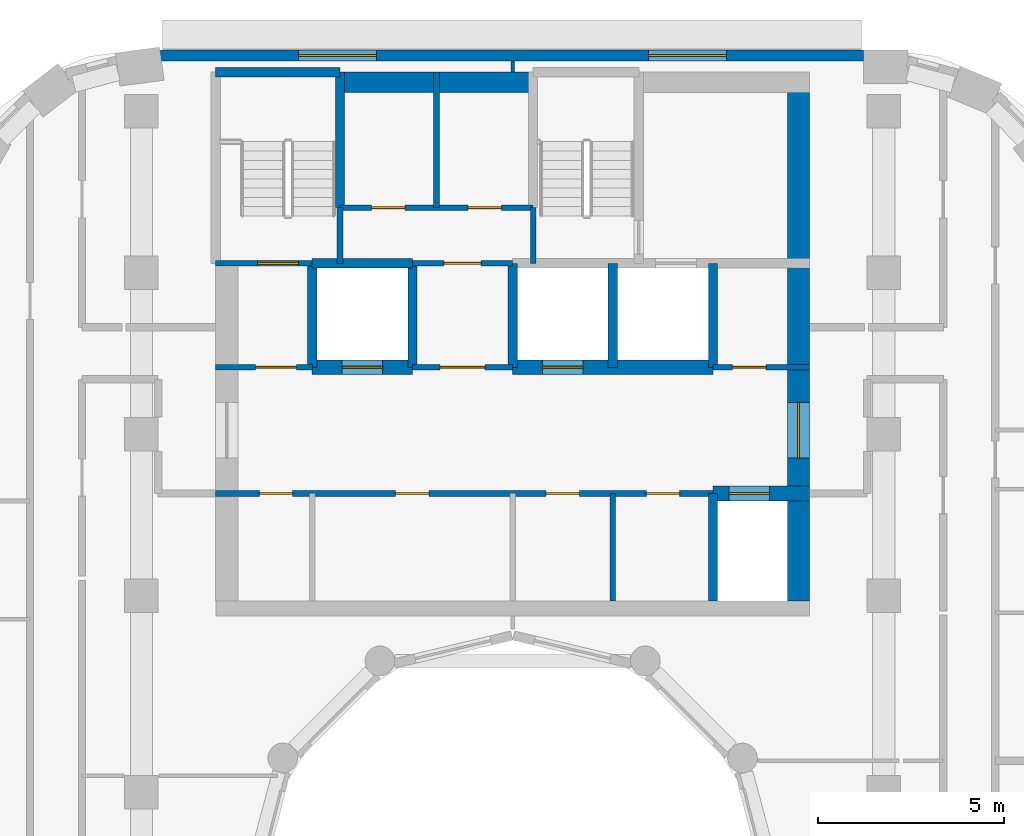
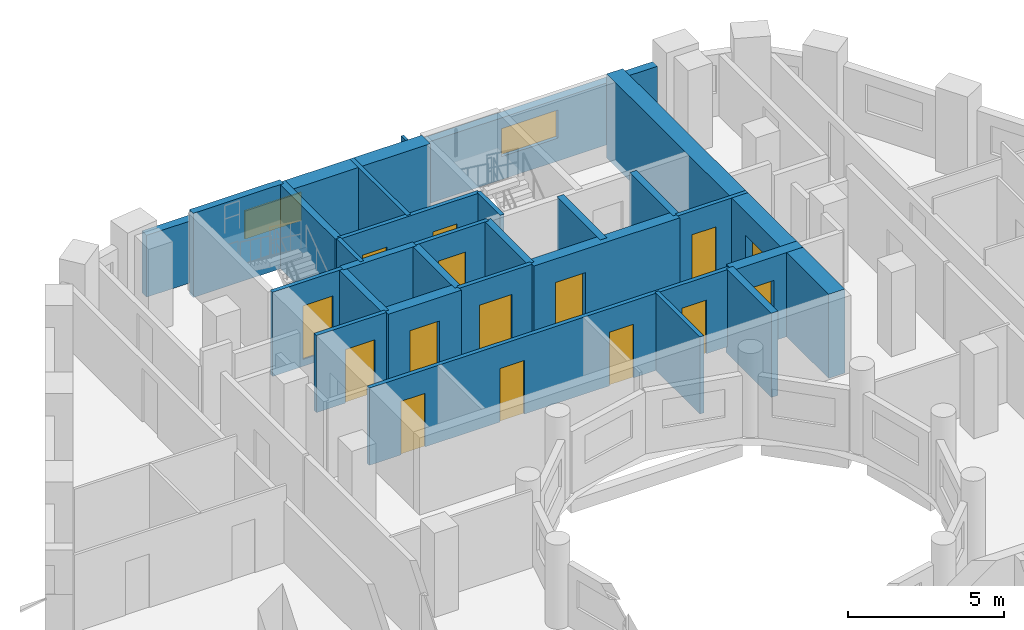
# One storey, part 8 of 16: 27 walls, 15 doors, 2 windows, 17 openings.
"""IFC4 building model written with IfcOpenShell, lengths in metres."""

from ifc_helpers import new_model, si_unit, direction, frame, frame_2d, origin, place, context, subcontext, project, spatial, rectangle, extrude, material, layer, layer_set, type_object, element, fill, save


model = new_model("IFC4")

# Units and contexts
model_context = context("Model", 3, precision=1e-05, world=origin(), true_north=direction((0.0, 1.0)))
body_context = subcontext(model_context, "Body", "Model", "MODEL_VIEW")
ifc_project = project(units=[si_unit("LENGTHUNIT", "METRE"), si_unit("AREAUNIT", "SQUARE_METRE"), si_unit("VOLUMEUNIT", "CUBIC_METRE"), si_unit("PLANEANGLEUNIT", "RADIAN"), si_unit("MASSUNIT", "GRAM", prefix="KILO")], contexts=[model_context])

# Site, building, storey
site_placement = place(None, origin())
site = spatial("IfcSite", under=ifc_project, at=site_placement, CompositionType="ELEMENT")
building_placement = place(site_placement, origin())
building = spatial("IfcBuilding", under=site, at=building_placement, Name="Nakaniwa Court", CompositionType="ELEMENT")
storey_placement = place(building_placement, frame((0.0, 0.0, 193.199951171875)))
storey = spatial("IfcBuildingStorey", under=building, at=storey_placement, Name="L50", CompositionType="ELEMENT", Elevation=193.199951171875)

# Wall, openings, windows
ifc_material_1 = material(Name="Charcoal ceramic cladding")
ifc_layer_1 = layer(ifc_material_1, 0.02, Name="Ceramic cladding")
ifc_material_2 = material(Name="Ventilated air cavity")
ifc_layer_2 = layer(ifc_material_2, 0.04, ventilated=True, Name="Ventilated cavity")
ifc_material_3 = material(Name="Mineral wool insulation")
ifc_layer_3 = layer(ifc_material_3, 0.1, Name="Insulation")
ifc_material_4 = material(Name="Cement bonded sheathing board")
ifc_layer_4 = layer(ifc_material_4, 0.012, Name="Sheathing")
ifc_material_5 = material(Name="Cold-formed galvanised stud frame with mineral wool infill")
ifc_layer_5 = layer(ifc_material_5, 0.1, Name="Stud frame")
ifc_material_6 = material(Name="Fire-rated gypsum plasterboard lining")
ifc_layer_6 = layer(ifc_material_6, 0.028, Name="Lining")
ifc_layer_set_1 = layer_set([ifc_layer_1, ifc_layer_2, ifc_layer_3, ifc_layer_4, ifc_layer_5, ifc_layer_6], Name="Charcoal ceramic faced external wall system")
wall_type_1 = type_object("IfcWallType", Name="Black ceramic faced external wall 300", PredefinedType="SOLIDWALL", material=ifc_layer_set_1)
wall_1_placement = place(storey_placement, frame((89.44921875, 102.5, 0.0), z_axis=(0.0, 0.0, 1.0), x_axis=(-1.0, 0.0, 0.0)))
wall_1 = element("IfcWall", 1, at=wall_1_placement, inside=storey, type_object=wall_type_1, Name="L50 external wall 08", PredefinedType="SOLIDWALL", context=body_context, shape_type="SweptSolid", body=[
    extrude(rectangle(XDim=18.932861328125, YDim=0.300048828125, at=frame_2d((9.46630859375, 0.0))), origin(), (0.0, 0.0, 1.0), 2.425048828125),
])
opening_1_placement = place(wall_1_placement, frame((3.6865234375, 0.0, 0.89990234375)))
opening_1 = element("IfcOpeningElement", 2, at=opening_1_placement, cuts=wall_1, Name="Opening W7.10", PredefinedType="OPENING", context=body_context, shape_type="SweptSolid", body=[
    extrude(rectangle(XDim=2.10009765625, YDim=1.10009765625, at=frame_2d((1.050048828125, 0.550048828125))), frame((0.0, 0.159912109375, 0.0), z_axis=(0.0, -1.0, 0.0), x_axis=(1.0, 0.0, 0.0)), (0.0, 0.0, 1.0), 0.320068359375),
])
opening_2_placement = place(wall_1_placement, frame((13.117919921875, 0.0, 0.89990234375)))
opening_2 = element("IfcOpeningElement", 3, at=opening_2_placement, cuts=wall_1, Name="Opening W7.11", PredefinedType="OPENING", context=body_context, shape_type="SweptSolid", body=[
    extrude(rectangle(XDim=2.10009765625, YDim=1.10009765625, at=frame_2d((1.050048828125, 0.550048828125))), frame((0.0, 0.159912109375, 0.0), z_axis=(0.0, -1.0, 0.0), x_axis=(1.0, 0.0, 0.0)), (0.0, 0.0, 1.0), 0.320068359375),
])
ifc_material_7 = material(Name="Black anodised aluminium frame with dark low-E laminated double glazing", Category="aluminium")
window_type = type_object("IfcWindowType", Name="Dark glass window 2100x1100 sill 900", PartitioningType="SINGLE_PANEL", PredefinedType="WINDOW", material=ifc_material_7)
window_1_placement = place(opening_1_placement, origin())
window_1 = element("IfcWindow", 4, at=window_1_placement, inside=storey, type_object=window_type, Name="L50 habitable room window 08-0", OverallHeight=1.10009765625, OverallWidth=2.10009765625, PartitioningType="SINGLE_PANEL", PredefinedType="WINDOW", context=body_context, shape_type="SweptSolid", body=[
    extrude(rectangle(XDim=2.10009765625, YDim=1.10009765625, at=frame_2d((1.050048828125, 0.550048828125))), frame((0.0, 0.030029296875, 0.0), z_axis=(0.0, -1.0, 0.0), x_axis=(1.0, 0.0, 0.0)), (0.0, 0.0, 1.0), 0.06005859375),
])
fill(opening_1, window_1)
window_2_placement = place(opening_2_placement, origin())
window_2 = element("IfcWindow", 5, at=window_2_placement, inside=storey, type_object=window_type, Name="L50 habitable room window 08-1", OverallHeight=1.10009765625, OverallWidth=2.10009765625, PartitioningType="SINGLE_PANEL", PredefinedType="WINDOW", context=body_context, shape_type="SweptSolid", body=[
    extrude(rectangle(XDim=2.10009765625, YDim=1.10009765625, at=frame_2d((1.050048828125, 0.550048828125))), frame((0.0, 0.030029296875, 0.0), z_axis=(0.0, -1.0, 0.0), x_axis=(1.0, 0.0, 0.0)), (0.0, 0.0, 1.0), 0.06005859375),
])
fill(opening_2, window_2)

# Wall, openings, doors
ifc_material_8 = material(Name="Blockwork partition", Category="masonry")
ifc_layer_7 = layer(ifc_material_8, 0.14990234375)
ifc_layer_set_2 = layer_set([ifc_layer_7], Name="Blockwork partition")
wall_type_2 = type_object("IfcWallType", Name="Blockwork partition 150", PredefinedType="PARTITIONING", material=ifc_layer_set_2)
wall_2_placement = place(storey_placement, frame((85.39990234375, 90.699951171875, 0.0), z_axis=(0.0, 0.0, 1.0), x_axis=(-1.0, 0.0, 0.0)))
wall_2 = element("IfcWall", 6, at=wall_2_placement, inside=storey, type_object=wall_type_2, Name="Partition PW-002", PredefinedType="PARTITIONING", context=body_context, shape_type="SweptSolid", body=[
    extrude(rectangle(XDim=13.39990234375, YDim=0.14990234375, at=frame_2d((6.699951171875, 0.0))), origin(), (0.0, 0.0, 1.0), 3.025146484375),
])
opening_3_placement = place(wall_2_placement, frame((11.324951171875, 0.0, 0.0)))
opening_3 = element("IfcOpeningElement", 7, at=opening_3_placement, cuts=wall_2, Name="Opening D-05-01", PredefinedType="OPENING", context=body_context, shape_type="SweptSolid", body=[
    extrude(rectangle(XDim=0.89990234375, YDim=2.10009765625, at=frame_2d((0.449951171875, 1.050048828125))), frame((0.0, 0.0849609375, 0.0), z_axis=(0.0, -1.0, 0.0), x_axis=(1.0, 0.0, 0.0)), (0.0, 0.0, 1.0), 0.169921875),
])
opening_4_placement = place(wall_2_placement, frame((7.64990234375, 0.0, 0.0)))
opening_4 = element("IfcOpeningElement", 8, at=opening_4_placement, cuts=wall_2, Name="Opening D-05-02", PredefinedType="OPENING", context=body_context, shape_type="SweptSolid", body=[
    extrude(rectangle(XDim=0.89990234375, YDim=2.10009765625, at=frame_2d((0.449951171875, 1.050048828125))), frame((0.0, 0.0849609375, 0.0), z_axis=(0.0, -1.0, 0.0), x_axis=(1.0, 0.0, 0.0)), (0.0, 0.0, 1.0), 0.169921875),
])
opening_5_placement = place(wall_2_placement, frame((3.60009765625, 0.0, 0.0)))
opening_5 = element("IfcOpeningElement", 9, at=opening_5_placement, cuts=wall_2, Name="Opening D-05-03", PredefinedType="OPENING", context=body_context, shape_type="SweptSolid", body=[
    extrude(rectangle(XDim=0.89990234375, YDim=2.10009765625, at=frame_2d((0.449951171875, 1.050048828125))), frame((0.0, 0.0849609375, 0.0), z_axis=(0.0, -1.0, 0.0), x_axis=(1.0, 0.0, 0.0)), (0.0, 0.0, 1.0), 0.169921875),
])
opening_6_placement = place(wall_2_placement, frame((0.89990234375, 0.0, 0.0)))
opening_6 = element("IfcOpeningElement", 10, at=opening_6_placement, cuts=wall_2, Name="Opening D-05-04", PredefinedType="OPENING", context=body_context, shape_type="SweptSolid", body=[
    extrude(rectangle(XDim=0.89990234375, YDim=2.10009765625, at=frame_2d((0.449951171875, 1.050048828125))), frame((0.0, 0.0849609375, 0.0), z_axis=(0.0, -1.0, 0.0), x_axis=(1.0, 0.0, 0.0)), (0.0, 0.0, 1.0), 0.169921875),
])
ifc_material_9 = material(Name="Fire rated steel door set", Category="steel")
door_type_1 = type_object("IfcDoorType", Name="Service room door 900", OperationType="NOTDEFINED", PredefinedType="DOOR", material=ifc_material_9)
door_1_placement = place(opening_3_placement, origin())
door_1 = element("IfcDoor", 11, at=door_1_placement, inside=storey, type_object=door_type_1, Name="Door D-05-01 L50-001", OperationType="SINGLE_SWING_RIGHT", OverallHeight=2.10009765625, OverallWidth=0.89990234375, PredefinedType="DOOR", context=body_context, shape_type="SweptSolid", body=[
    extrude(rectangle(XDim=0.89990234375, YDim=2.10009765625, at=frame_2d((0.449951171875, 1.050048828125))), frame((0.0, 0.02490234375, 0.0), z_axis=(0.0, -1.0, 0.0), x_axis=(1.0, 0.0, 0.0)), (0.0, 0.0, 1.0), 0.050048828125),
])
fill(opening_3, door_1)
door_2_placement = place(opening_4_placement, origin())
door_2 = element("IfcDoor", 12, at=door_2_placement, inside=storey, type_object=door_type_1, Name="Door D-05-02 L50-002", OperationType="SINGLE_SWING_LEFT", OverallHeight=2.10009765625, OverallWidth=0.89990234375, PredefinedType="DOOR", context=body_context, shape_type="SweptSolid", body=[
    extrude(rectangle(XDim=0.89990234375, YDim=2.10009765625, at=frame_2d((0.449951171875, 1.050048828125))), frame((0.0, 0.02490234375, 0.0), z_axis=(0.0, -1.0, 0.0), x_axis=(1.0, 0.0, 0.0)), (0.0, 0.0, 1.0), 0.050048828125),
])
fill(opening_4, door_2)
door_3_placement = place(opening_5_placement, origin())
door_3 = element("IfcDoor", 13, at=door_3_placement, inside=storey, type_object=door_type_1, Name="Door D-05-03 L50-003", OperationType="SINGLE_SWING_RIGHT", OverallHeight=2.10009765625, OverallWidth=0.89990234375, PredefinedType="DOOR", context=body_context, shape_type="SweptSolid", body=[
    extrude(rectangle(XDim=0.89990234375, YDim=2.10009765625, at=frame_2d((0.449951171875, 1.050048828125))), frame((0.0, 0.02490234375, 0.0), z_axis=(0.0, -1.0, 0.0), x_axis=(1.0, 0.0, 0.0)), (0.0, 0.0, 1.0), 0.050048828125),
])
fill(opening_5, door_3)
door_4_placement = place(opening_6_placement, origin())
door_4 = element("IfcDoor", 14, at=door_4_placement, inside=storey, type_object=door_type_1, Name="Door D-05-04 L50-004", OperationType="SINGLE_SWING_LEFT", OverallHeight=2.10009765625, OverallWidth=0.89990234375, PredefinedType="DOOR", context=body_context, shape_type="SweptSolid", body=[
    extrude(rectangle(XDim=0.89990234375, YDim=2.10009765625, at=frame_2d((0.449951171875, 1.050048828125))), frame((0.0, 0.02490234375, 0.0), z_axis=(0.0, -1.0, 0.0), x_axis=(1.0, 0.0, 0.0)), (0.0, 0.0, 1.0), 0.050048828125),
])
fill(opening_6, door_4)

# Wall
wall_3_placement = place(storey_placement, frame((82.699951171875, 87.800048828125, 0.0), z_axis=(0.0, 0.0, 1.0), x_axis=(0.0, 1.0, 0.0)))
element("IfcWall", 15, at=wall_3_placement, inside=storey, type_object=wall_type_2, Name="Partition PW-009", PredefinedType="PARTITIONING", context=body_context, shape_type="SweptSolid", body=[
    extrude(rectangle(XDim=2.89990234375, YDim=0.14990234375, at=frame_2d((1.449951171875, 0.0))), origin(), (0.0, 0.0, 1.0), 3.025146484375),
])

# Wall, opening, door
wall_4_placement = place(storey_placement, frame((72.0, 94.10009765625, 0.0), z_axis=(0.0, 0.0, 1.0), x_axis=(1.0, 0.0, 0.0)))
wall_4 = element("IfcWall", 16, at=wall_4_placement, inside=storey, type_object=wall_type_2, Name="Partition PW-010", PredefinedType="PARTITIONING", context=body_context, shape_type="SweptSolid", body=[
    extrude(rectangle(XDim=2.60302734375, YDim=0.14990234375, at=frame_2d((1.301513671875, 0.0))), origin(), (0.0, 0.0, 1.0), 3.025146484375),
])
opening_7_placement = place(wall_4_placement, frame((1.074951171875, 0.0, 0.0)))
opening_7 = element("IfcOpeningElement", 17, at=opening_7_placement, cuts=wall_4, Name="Opening D-08-01", PredefinedType="OPENING", context=body_context, shape_type="SweptSolid", body=[
    extrude(rectangle(XDim=1.10009765625, YDim=2.10009765625, at=frame_2d((0.550048828125, 1.050048828125))), frame((0.0, 0.0849609375, 0.0), z_axis=(0.0, -1.0, 0.0), x_axis=(1.0, 0.0, 0.0)), (0.0, 0.0, 1.0), 0.169921875),
])
door_type_2 = type_object("IfcDoorType", Name="Stair lobby door 1100", OperationType="NOTDEFINED", PredefinedType="DOOR", material=ifc_material_9)
door_5_placement = place(opening_7_placement, origin())
door_5 = element("IfcDoor", 18, at=door_5_placement, inside=storey, type_object=door_type_2, Name="Door D-08-01 L50-005", OperationType="SINGLE_SWING_RIGHT", OverallHeight=2.10009765625, OverallWidth=1.10009765625, PredefinedType="DOOR", context=body_context, shape_type="SweptSolid", body=[
    extrude(rectangle(XDim=1.10009765625, YDim=2.10009765625, at=frame_2d((0.550048828125, 1.050048828125))), frame((0.0, 0.02490234375, 0.0), z_axis=(0.0, -1.0, 0.0), x_axis=(1.0, 0.0, 0.0)), (0.0, 0.0, 1.0), 0.050048828125),
])
fill(opening_7, door_5)

wall_5_placement = place(storey_placement, frame((77.297119140625, 94.10009765625, 0.0), z_axis=(0.0, 0.0, 1.0), x_axis=(1.0, 0.0, 0.0)))
wall_5 = element("IfcWall", 19, at=wall_5_placement, inside=storey, type_object=wall_type_2, Name="Partition PW-011", PredefinedType="PARTITIONING", context=body_context, shape_type="SweptSolid", body=[
    extrude(rectangle(XDim=2.705810546875, YDim=0.14990234375, at=frame_2d((1.35302734375, 0.0))), origin(), (0.0, 0.0, 1.0), 3.025146484375),
])
opening_8_placement = place(wall_5_placement, frame((0.7529296875, 0.0, 0.0)))
opening_8 = element("IfcOpeningElement", 20, at=opening_8_placement, cuts=wall_5, Name="Opening D-06-01", PredefinedType="OPENING", context=body_context, shape_type="SweptSolid", body=[
    extrude(rectangle(XDim=1.199951171875, YDim=2.10009765625, at=frame_2d((0.60009765625, 1.050048828125))), frame((0.0, 0.0849609375, 0.0), z_axis=(0.0, -1.0, 0.0), x_axis=(1.0, 0.0, 0.0)), (0.0, 0.0, 1.0), 0.169921875),
])
ifc_material_10 = material(Name="Fire rated steel double door set", Category="steel")
door_type_3 = type_object("IfcDoorType", Name="Service passage double door 1200", OperationType="NOTDEFINED", PredefinedType="DOOR", material=ifc_material_10)
door_6_placement = place(opening_8_placement, origin())
door_6 = element("IfcDoor", 21, at=door_6_placement, inside=storey, type_object=door_type_3, Name="Door D-06-01 L50-006", OperationType="DOUBLE_DOOR_SINGLE_SWING", OverallHeight=2.10009765625, OverallWidth=1.199951171875, PredefinedType="DOOR", context=body_context, shape_type="SweptSolid", body=[
    extrude(rectangle(XDim=1.199951171875, YDim=2.10009765625, at=frame_2d((0.60009765625, 1.050048828125))), frame((0.0, 0.02490234375, 0.0), z_axis=(0.0, -1.0, 0.0), x_axis=(1.0, 0.0, 0.0)), (0.0, 0.0, 1.0), 0.050048828125),
])
fill(opening_8, door_6)

wall_6_placement = place(storey_placement, frame((85.39697265625, 94.10009765625, 0.0), z_axis=(0.0, 0.0, 1.0), x_axis=(1.0, 0.0, 0.0)))
wall_6 = element("IfcWall", 22, at=wall_6_placement, inside=storey, type_object=wall_type_2, Name="Partition PW-012", PredefinedType="PARTITIONING", context=body_context, shape_type="SweptSolid", body=[
    extrude(rectangle(XDim=2.60302734375, YDim=0.14990234375, at=frame_2d((1.301513671875, 0.0))), origin(), (0.0, 0.0, 1.0), 3.025146484375),
])
opening_9_placement = place(wall_6_placement, frame((0.528076171875, 0.0, 0.0)))
opening_9 = element("IfcOpeningElement", 23, at=opening_9_placement, cuts=wall_6, Name="Opening D-05-05", PredefinedType="OPENING", context=body_context, shape_type="SweptSolid", body=[
    extrude(rectangle(XDim=0.89990234375, YDim=2.10009765625, at=frame_2d((0.449951171875, 1.050048828125))), frame((0.0, 0.0849609375, 0.0), z_axis=(0.0, -1.0, 0.0), x_axis=(1.0, 0.0, 0.0)), (0.0, 0.0, 1.0), 0.169921875),
])
door_7_placement = place(opening_9_placement, origin())
door_7 = element("IfcDoor", 24, at=door_7_placement, inside=storey, type_object=door_type_1, Name="Door D-05-05 L50-007", OperationType="SINGLE_SWING_RIGHT", OverallHeight=2.10009765625, OverallWidth=0.89990234375, PredefinedType="DOOR", context=body_context, shape_type="SweptSolid", body=[
    extrude(rectangle(XDim=0.89990234375, YDim=2.10009765625, at=frame_2d((0.449951171875, 1.050048828125))), frame((0.0, 0.02490234375, 0.0), z_axis=(0.0, -1.0, 0.0), x_axis=(1.0, 0.0, 0.0)), (0.0, 0.0, 1.0), 0.050048828125),
])
fill(opening_9, door_7)

wall_7_placement = place(storey_placement, frame((77.300048828125, 96.89990234375, 0.0), z_axis=(0.0, 0.0, 1.0), x_axis=(1.0, 0.0, 0.0)))
wall_7 = element("IfcWall", 25, at=wall_7_placement, inside=storey, type_object=wall_type_2, Name="Partition PW-021", PredefinedType="PARTITIONING", context=body_context, shape_type="SweptSolid", body=[
    extrude(rectangle(XDim=2.699951171875, YDim=0.14990234375, at=frame_2d((1.35009765625, 0.0))), origin(), (0.0, 0.0, 1.0), 3.025146484375),
])
opening_10_placement = place(wall_7_placement, frame((0.85009765625, 0.0, 0.0)))
opening_10 = element("IfcOpeningElement", 26, at=opening_10_placement, cuts=wall_7, Name="Opening D-23-01", PredefinedType="OPENING", context=body_context, shape_type="SweptSolid", body=[
    extrude(rectangle(XDim=1.0, YDim=2.10009765625, at=frame_2d((0.5, 1.050048828125))), frame((0.0, 0.0849609375, 0.0), z_axis=(0.0, -1.0, 0.0), x_axis=(1.0, 0.0, 0.0)), (0.0, 0.0, 1.0), 0.169921875),
])
door_type_4 = type_object("IfcDoorType", Name="Service room door 1000", OperationType="NOTDEFINED", PredefinedType="DOOR", material=ifc_material_9)
door_8_placement = place(opening_10_placement, origin())
door_8 = element("IfcDoor", 27, at=door_8_placement, inside=storey, type_object=door_type_4, Name="Door D-23-01 L50-008", OperationType="SINGLE_SWING_LEFT", OverallHeight=2.10009765625, OverallWidth=1.0, PredefinedType="DOOR", context=body_context, shape_type="SweptSolid", body=[
    extrude(rectangle(XDim=1.0, YDim=2.10009765625, at=frame_2d((0.5, 1.050048828125))), frame((0.0, 0.02490234375, 0.0), z_axis=(0.0, -1.0, 0.0), x_axis=(1.0, 0.0, 0.0)), (0.0, 0.0, 1.0), 0.050048828125),
])
fill(opening_10, door_8)

# Wall, openings, doors
wall_8_placement = place(storey_placement, frame((75.35009765625, 98.39990234375, 0.0), z_axis=(0.0, 0.0, 1.0), x_axis=(1.0, 0.0, 0.0)))
wall_8 = element("IfcWall", 28, at=wall_8_placement, inside=storey, type_object=wall_type_2, Name="Partition PW-033", PredefinedType="PARTITIONING", context=body_context, shape_type="SweptSolid", body=[
    extrude(rectangle(XDim=5.199951171875, YDim=0.14990234375, at=frame_2d((2.60009765625, 0.0))), origin(), (0.0, 0.0, 1.0), 3.025146484375),
])
opening_11_placement = place(wall_8_placement, frame((0.85009765625, 0.0, 0.0)))
opening_11 = element("IfcOpeningElement", 29, at=opening_11_placement, cuts=wall_8, Name="Opening D-05-06", PredefinedType="OPENING", context=body_context, shape_type="SweptSolid", body=[
    extrude(rectangle(XDim=0.89990234375, YDim=2.10009765625, at=frame_2d((0.449951171875, 1.050048828125))), frame((0.0, 0.0849609375, 0.0), z_axis=(0.0, -1.0, 0.0), x_axis=(1.0, 0.0, 0.0)), (0.0, 0.0, 1.0), 0.169921875),
])
opening_12_placement = place(wall_8_placement, frame((3.449951171875, 0.0, 0.0)))
opening_12 = element("IfcOpeningElement", 30, at=opening_12_placement, cuts=wall_8, Name="Opening D-05-07", PredefinedType="OPENING", context=body_context, shape_type="SweptSolid", body=[
    extrude(rectangle(XDim=0.89990234375, YDim=2.10009765625, at=frame_2d((0.449951171875, 1.050048828125))), frame((0.0, 0.0849609375, 0.0), z_axis=(0.0, -1.0, 0.0), x_axis=(1.0, 0.0, 0.0)), (0.0, 0.0, 1.0), 0.169921875),
])
door_9_placement = place(opening_11_placement, origin())
door_9 = element("IfcDoor", 31, at=door_9_placement, inside=storey, type_object=door_type_1, Name="Door D-05-06 L50-009", OperationType="SINGLE_SWING_RIGHT", OverallHeight=2.10009765625, OverallWidth=0.89990234375, PredefinedType="DOOR", context=body_context, shape_type="SweptSolid", body=[
    extrude(rectangle(XDim=0.89990234375, YDim=2.10009765625, at=frame_2d((0.449951171875, 1.050048828125))), frame((0.0, 0.02490234375, 0.0), z_axis=(0.0, -1.0, 0.0), x_axis=(1.0, 0.0, 0.0)), (0.0, 0.0, 1.0), 0.050048828125),
])
fill(opening_11, door_9)
door_10_placement = place(opening_12_placement, origin())
door_10 = element("IfcDoor", 32, at=door_10_placement, inside=storey, type_object=door_type_1, Name="Door D-05-07 L50-010", OperationType="SINGLE_SWING_LEFT", OverallHeight=2.10009765625, OverallWidth=0.89990234375, PredefinedType="DOOR", context=body_context, shape_type="SweptSolid", body=[
    extrude(rectangle(XDim=0.89990234375, YDim=2.10009765625, at=frame_2d((0.449951171875, 1.050048828125))), frame((0.0, 0.02490234375, 0.0), z_axis=(0.0, -1.0, 0.0), x_axis=(1.0, 0.0, 0.0)), (0.0, 0.0, 1.0), 0.050048828125),
])
fill(opening_12, door_10)

# Wall
wall_9_placement = place(storey_placement, frame((77.949951171875, 98.39990234375, 0.0), z_axis=(0.0, 0.0, 1.0), x_axis=(0.0, 1.0, 0.0)))
element("IfcWall", 33, at=wall_9_placement, inside=storey, type_object=wall_type_2, Name="Partition PW-034", PredefinedType="PARTITIONING", context=body_context, shape_type="SweptSolid", body=[
    extrude(rectangle(XDim=3.650146484375, YDim=0.14990234375, at=frame_2d((1.8251953125, 0.0))), origin(), (0.0, 0.0, 1.0), 3.025146484375),
])

# Wall, opening, door
ifc_material_11 = material(Name="Concrete C80/100", Category="concrete")
ifc_layer_8 = layer(ifc_material_11, 0.60009765625)
ifc_layer_set_3 = layer_set([ifc_layer_8], Name="Concrete C80/100")
wall_type_3 = type_object("IfcWallType", Name="Concrete core side wall 600 C80", PredefinedType="SHEAR", material=ifc_layer_set_3)
wall_10_placement = place(storey_placement, frame((87.699951171875, 102.050048828125, -0.27490234375), z_axis=(0.0, 0.0, 1.0), x_axis=(0.0, -1.0, 0.0)))
wall_10 = element("IfcWall", 34, at=wall_10_placement, inside=storey, type_object=wall_type_3, Name="Core wall SW-07", PredefinedType="SHEAR", context=body_context, shape_type="SweptSolid", body=[
    extrude(rectangle(XDim=14.25, YDim=0.60009765625, at=frame_2d((7.125, 0.0))), origin(), (0.0, 0.0, 1.0), 3.300048828125),
])
opening_13_placement = place(wall_10_placement, frame((8.89794921875, 0.0, 0.27490234375)))
opening_13 = element("IfcOpeningElement", 35, at=opening_13_placement, cuts=wall_10, Name="Opening D-07-01", PredefinedType="OPENING", context=body_context, shape_type="SweptSolid", body=[
    extrude(rectangle(XDim=1.5, YDim=2.10009765625, at=frame_2d((0.75, 1.050048828125))), frame((0.0, 0.31005859375, 0.0), z_axis=(0.0, -1.0, 0.0), x_axis=(1.0, 0.0, 0.0)), (0.0, 0.0, 1.0), 0.6201171875),
])
ifc_material_12 = material(Name="Glazed fire rated steel double door set", Category="steel")
door_type_5 = type_object("IfcDoorType", Name="Lobby double door 1500", OperationType="NOTDEFINED", PredefinedType="DOOR", material=ifc_material_12)
door_11_placement = place(opening_13_placement, origin())
door_11 = element("IfcDoor", 36, at=door_11_placement, inside=storey, type_object=door_type_5, Name="Door D-07-01 L50-059", OperationType="DOUBLE_DOOR_SINGLE_SWING", OverallHeight=2.10009765625, OverallWidth=1.5, PredefinedType="DOOR", context=body_context, shape_type="SweptSolid", body=[
    extrude(rectangle(XDim=1.5, YDim=2.10009765625, at=frame_2d((0.75, 1.050048828125))), frame((0.0, 0.02490234375, 0.0), z_axis=(0.0, -1.0, 0.0), x_axis=(1.0, 0.0, 0.0)), (0.0, 0.0, 1.0), 0.050048828125),
])
fill(opening_13, door_11)

ifc_layer_9 = layer(ifc_material_11, 0.39990234375)
ifc_layer_set_4 = layer_set([ifc_layer_9], Name="Concrete C80/100")
wall_type_4 = type_object("IfcWallType", Name="Concrete core spine wall 400 C80", PredefinedType="SHEAR", material=ifc_layer_set_4)
wall_11_placement = place(storey_placement, frame((85.39990234375, 90.699951171875, -0.27490234375), z_axis=(0.0, 0.0, 1.0), x_axis=(1.0, 0.0, 0.0)))
wall_11 = element("IfcWall", 37, at=wall_11_placement, inside=storey, type_object=wall_type_4, Name="Core wall SW-06", PredefinedType="SHEAR", context=body_context, shape_type="SweptSolid", body=[
    extrude(rectangle(XDim=2.60009765625, YDim=0.39990234375, at=frame_2d((1.300048828125, 0.0))), origin(), (0.0, 0.0, 1.0), 3.300048828125),
])
opening_14_placement = place(wall_11_placement, frame((0.425048828125, 0.0, 0.27490234375)))
opening_14 = element("IfcOpeningElement", 38, at=opening_14_placement, cuts=wall_11, Name="Opening LD01", PredefinedType="OPENING", context=body_context, shape_type="SweptSolid", body=[
    extrude(rectangle(XDim=1.10009765625, YDim=2.10009765625, at=frame_2d((0.550048828125, 1.050048828125))), frame((0.0, 0.2099609375, 0.0), z_axis=(0.0, -1.0, 0.0), x_axis=(1.0, 0.0, 0.0)), (0.0, 0.0, 1.0), 0.419921875),
])
ifc_material_13 = material(Name="Stainless steel sliding lift landing door", Category="steel")
door_type_6 = type_object("IfcDoorType", Name="Lift landing door 1100", OperationType="NOTDEFINED", PredefinedType="DOOR", material=ifc_material_13)
door_12_placement = place(opening_14_placement, origin())
door_12 = element("IfcDoor", 39, at=door_12_placement, inside=storey, type_object=door_type_6, Name="Lift landing door LD01 L50-001", OperationType="SLIDING_TO_LEFT", OverallHeight=2.10009765625, OverallWidth=1.10009765625, PredefinedType="DOOR", context=body_context, shape_type="SweptSolid", body=[
    extrude(rectangle(XDim=1.10009765625, YDim=2.10009765625, at=frame_2d((0.550048828125, 1.050048828125))), frame((0.0, 0.02490234375, 0.0), z_axis=(0.0, -1.0, 0.0), x_axis=(1.0, 0.0, 0.0)), (0.0, 0.0, 1.0), 0.050048828125),
])
fill(opening_14, door_12)

wall_12_placement = place(storey_placement, frame((74.596923828125, 94.10009765625, -0.27490234375), z_axis=(0.0, 0.0, 1.0), x_axis=(1.0, 0.0, 0.0)))
wall_12 = element("IfcWall", 40, at=wall_12_placement, inside=storey, type_object=wall_type_4, Name="Core wall SW-13", PredefinedType="SHEAR", context=body_context, shape_type="SweptSolid", body=[
    extrude(rectangle(XDim=2.7060546875, YDim=0.39990234375, at=frame_2d((1.35302734375, 0.0))), origin(), (0.0, 0.0, 1.0), 3.300048828125),
])
opening_15_placement = place(wall_12_placement, frame((0.802978515625, 0.0, 0.27490234375)))
opening_15 = element("IfcOpeningElement", 41, at=opening_15_placement, cuts=wall_12, Name="Opening LD02", PredefinedType="OPENING", context=body_context, shape_type="SweptSolid", body=[
    extrude(rectangle(XDim=1.10009765625, YDim=2.10009765625, at=frame_2d((0.550048828125, 1.050048828125))), frame((0.0, 0.2099609375, 0.0), z_axis=(0.0, -1.0, 0.0), x_axis=(1.0, 0.0, 0.0)), (0.0, 0.0, 1.0), 0.419921875),
])
door_13_placement = place(opening_15_placement, origin())
door_13 = element("IfcDoor", 42, at=door_13_placement, inside=storey, type_object=door_type_6, Name="Lift landing door LD02 L50-002", OperationType="SLIDING_TO_LEFT", OverallHeight=2.10009765625, OverallWidth=1.10009765625, PredefinedType="DOOR", context=body_context, shape_type="SweptSolid", body=[
    extrude(rectangle(XDim=1.10009765625, YDim=2.10009765625, at=frame_2d((0.550048828125, 1.050048828125))), frame((0.0, 0.02490234375, 0.0), z_axis=(0.0, -1.0, 0.0), x_axis=(1.0, 0.0, 0.0)), (0.0, 0.0, 1.0), 0.050048828125),
])
fill(opening_15, door_13)

wall_13_placement = place(storey_placement, frame((79.9970703125, 94.10009765625, -0.27490234375), z_axis=(0.0, 0.0, 1.0), x_axis=(1.0, 0.0, 0.0)))
wall_13 = element("IfcWall", 43, at=wall_13_placement, inside=storey, type_object=wall_type_4, Name="Core wall SW-14", PredefinedType="SHEAR", context=body_context, shape_type="SweptSolid", body=[
    extrude(rectangle(XDim=5.406005859375, YDim=0.39990234375, at=frame_2d((2.703125, 0.0))), origin(), (0.0, 0.0, 1.0), 3.300048828125),
])
opening_16_placement = place(wall_13_placement, frame((0.802978515625, 0.0, 0.27490234375)))
opening_16 = element("IfcOpeningElement", 44, at=opening_16_placement, cuts=wall_13, Name="Opening LD03", PredefinedType="OPENING", context=body_context, shape_type="SweptSolid", body=[
    extrude(rectangle(XDim=1.10009765625, YDim=2.10009765625, at=frame_2d((0.550048828125, 1.050048828125))), frame((0.0, 0.2099609375, 0.0), z_axis=(0.0, -1.0, 0.0), x_axis=(1.0, 0.0, 0.0)), (0.0, 0.0, 1.0), 0.419921875),
])
door_14_placement = place(opening_16_placement, origin())
door_14 = element("IfcDoor", 45, at=door_14_placement, inside=storey, type_object=door_type_6, Name="Lift landing door LD03 L50-003", OperationType="SLIDING_TO_LEFT", OverallHeight=2.10009765625, OverallWidth=1.10009765625, PredefinedType="DOOR", context=body_context, shape_type="SweptSolid", body=[
    extrude(rectangle(XDim=1.10009765625, YDim=2.10009765625, at=frame_2d((0.550048828125, 1.050048828125))), frame((0.0, 0.02490234375, 0.0), z_axis=(0.0, -1.0, 0.0), x_axis=(1.0, 0.0, 0.0)), (0.0, 0.0, 1.0), 0.050048828125),
])
fill(opening_16, door_14)

ifc_layer_10 = layer(ifc_material_11, 0.14990234375)
ifc_layer_set_5 = layer_set([ifc_layer_10], Name="Concrete C80/100")
wall_type_5 = type_object("IfcWallType", Name="Concrete core wall 150 C80", PredefinedType="SHEAR", material=ifc_layer_set_5)
wall_14_placement = place(storey_placement, frame((74.60009765625, 96.89990234375, -0.27490234375), z_axis=(0.0, 0.0, 1.0), x_axis=(-1.0, 0.0, 0.0)))
wall_14 = element("IfcWall", 46, at=wall_14_placement, inside=storey, type_object=wall_type_5, Name="Core wall SW-16", PredefinedType="SHEAR", context=body_context, shape_type="SweptSolid", body=[
    extrude(rectangle(XDim=2.60009765625, YDim=0.14990234375, at=frame_2d((1.300048828125, 0.0))), origin(), (0.0, 0.0, 1.0), 3.300048828125),
])
opening_17_placement = place(wall_14_placement, frame((0.3701171875, 0.0, 0.27490234375)))
opening_17 = element("IfcOpeningElement", 47, at=opening_17_placement, cuts=wall_14, Name="Opening D-09-01", PredefinedType="OPENING", context=body_context, shape_type="SweptSolid", body=[
    extrude(rectangle(XDim=1.10009765625, YDim=2.10009765625, at=frame_2d((0.550048828125, 1.050048828125))), frame((0.0, 0.0849609375, 0.0), z_axis=(0.0, -1.0, 0.0), x_axis=(1.0, 0.0, 0.0)), (0.0, 0.0, 1.0), 0.169921875),
])
door_type_7 = type_object("IfcDoorType", Name="Stair door 1100", OperationType="NOTDEFINED", PredefinedType="DOOR", material=ifc_material_9)
door_15_placement = place(opening_17_placement, origin())
door_15 = element("IfcDoor", 48, at=door_15_placement, inside=storey, type_object=door_type_7, Name="Door D-09-01 L50-011", OperationType="SINGLE_SWING_LEFT", OverallHeight=2.10009765625, OverallWidth=1.10009765625, PredefinedType="DOOR", context=body_context, shape_type="SweptSolid", body=[
    extrude(rectangle(XDim=1.10009765625, YDim=2.10009765625, at=frame_2d((0.550048828125, 1.050048828125))), frame((0.0, 0.02490234375, 0.0), z_axis=(0.0, -1.0, 0.0), x_axis=(1.0, 0.0, 0.0)), (0.0, 0.0, 1.0), 0.050048828125),
])
fill(opening_17, door_15)

# Walls
for number, where, z_axis, x_axis, name in (
    (49, (75.35009765625, 96.89990234375, -0.27490234375), (0.0, 0.0, 1.0), (0.0, 1.0, 0.0), "Core wall SW-23"),
    (50, (80.550048828125, 96.89990234375, -0.27490234375), (0.0, 0.0, 1.0), (0.0, 1.0, 0.0), "Core wall SW-29"),
):
    element("IfcWall", number, at=place(storey_placement, frame(where, z_axis=z_axis, x_axis=x_axis)), inside=storey, type_object=wall_type_5, Name=name, PredefinedType="SHEAR", context=body_context, shape_type="SweptSolid", body=[
        extrude(rectangle(XDim=1.503173828125, YDim=0.14990234375, at=frame_2d((0.75146484375, 0.0))), origin(), (0.0, 0.0, 1.0), 3.300048828125),
    ])
ifc_layer_11 = layer(ifc_material_11, 0.25)
ifc_layer_set_6 = layer_set([ifc_layer_11], Name="Concrete C80/100")
wall_type_6 = type_object("IfcWallType", Name="Concrete core wall 250 C80", PredefinedType="SHEAR", material=ifc_layer_set_6)
wall_15_placement = place(storey_placement, frame((72.0, 102.050048828125, -0.27490234375), z_axis=(0.0, 0.0, 1.0), x_axis=(1.0, 0.0, 0.0)))
element("IfcWall", 51, at=wall_15_placement, inside=storey, type_object=wall_type_6, Name="Core wall SW-25", PredefinedType="SHEAR", context=body_context, shape_type="SweptSolid", body=[
    extrude(rectangle(XDim=3.35009765625, YDim=0.25, at=frame_2d((1.675048828125, 0.0))), origin(), (0.0, 0.0, 1.0), 3.300048828125),
])
ifc_layer_12 = layer(ifc_material_11, 0.550048828125)
ifc_layer_set_7 = layer_set([ifc_layer_12], Name="Concrete C80/100")
wall_type_7 = type_object("IfcWallType", Name="Concrete core wall 550 C80", PredefinedType="SHEAR", material=ifc_layer_set_7)
wall_16_placement = place(storey_placement, frame((75.35009765625, 101.77490234375, -0.27490234375), z_axis=(0.0, 0.0, 1.0), x_axis=(1.0, 0.0, 0.0)))
element("IfcWall", 52, at=wall_16_placement, inside=storey, type_object=wall_type_7, Name="Core wall SW-31", PredefinedType="SHEAR", context=body_context, shape_type="SweptSolid", body=[
    extrude(rectangle(XDim=5.199951171875, YDim=0.550048828125, at=frame_2d((2.60009765625, 0.0))), origin(), (0.0, 0.0, 1.0), 3.300048828125),
])
ifc_layer_13 = layer(ifc_material_11, 0.25)
ifc_layer_set_8 = layer_set([ifc_layer_13], Name="Concrete C80/100")
wall_type_8 = type_object("IfcWallType", Name="Concrete shaft wall 250 C80", PredefinedType="SHEAR", material=ifc_layer_set_8)
wall_17_placement = place(storey_placement, frame((85.39990234375, 87.800048828125, -0.27490234375), z_axis=(0.0, 0.0, 1.0), x_axis=(0.0, 1.0, 0.0)))
element("IfcWall", 53, at=wall_17_placement, inside=storey, type_object=wall_type_8, Name="Core wall SW-04", PredefinedType="SHEAR", context=body_context, shape_type="SweptSolid", body=[
    extrude(rectangle(XDim=2.89990234375, YDim=0.25, at=frame_2d((1.449951171875, 0.0))), origin(), (0.0, 0.0, 1.0), 3.300048828125),
])
for number, where, z_axis, x_axis, name in (
    (54, (85.39990234375, 94.10009765625, -0.27490234375), (0.0, 0.0, 1.0), (0.0, 1.0, 0.0), "Core wall SW-05"),
    (55, (74.60009765625, 94.10009765625, -0.27490234375), (0.0, 0.0, 1.0), (0.0, 1.0, 0.0), "Core wall SW-15"),
    (56, (77.300048828125, 94.10009765625, -0.27490234375), (0.0, 0.0, 1.0), (0.0, 1.0, 0.0), "Core wall SW-17"),
):
    element("IfcWall", number, at=place(storey_placement, frame(where, z_axis=z_axis, x_axis=x_axis)), inside=storey, type_object=wall_type_8, Name=name, PredefinedType="SHEAR", context=body_context, shape_type="SweptSolid", body=[
        extrude(rectangle(XDim=2.7998046875, YDim=0.25, at=frame_2d((1.39990234375, 0.0))), origin(), (0.0, 0.0, 1.0), 3.300048828125),
    ])
wall_18_placement = place(storey_placement, frame((74.60009765625, 96.89990234375, -0.27490234375), z_axis=(0.0, 0.0, 1.0), x_axis=(1.0, 0.0, 0.0)))
element("IfcWall", 57, at=wall_18_placement, inside=storey, type_object=wall_type_8, Name="Core wall SW-18", PredefinedType="SHEAR", context=body_context, shape_type="SweptSolid", body=[
    extrude(rectangle(XDim=2.699951171875, YDim=0.25, at=frame_2d((1.35009765625, 0.0))), origin(), (0.0, 0.0, 1.0), 3.300048828125),
])
for number, where, z_axis, x_axis, name in (
    (58, (80.0, 94.10009765625, -0.27490234375), (0.0, 0.0, 1.0), (0.0, 1.0, 0.0), "Core wall SW-20"),
    (59, (82.699951171875, 94.10009765625, -0.27490234375), (0.0, 0.0, 1.0), (0.0, 1.0, 0.0), "Core wall SW-22"),
):
    element("IfcWall", number, at=place(storey_placement, frame(where, z_axis=z_axis, x_axis=x_axis)), inside=storey, type_object=wall_type_8, Name=name, PredefinedType="SHEAR", context=body_context, shape_type="SweptSolid", body=[
        extrude(rectangle(XDim=2.7998046875, YDim=0.25, at=frame_2d((1.39990234375, 0.0))), origin(), (0.0, 0.0, 1.0), 3.300048828125),
    ])
wall_19_placement = place(storey_placement, frame((75.35009765625, 98.39697265625, -0.27490234375), z_axis=(0.0, 0.0, 1.0), x_axis=(0.0, 1.0, 0.0)))
element("IfcWall", 60, at=wall_19_placement, inside=storey, type_object=wall_type_8, Name="Core wall SW-24", PredefinedType="SHEAR", context=body_context, shape_type="SweptSolid", body=[
    extrude(rectangle(XDim=3.653076171875, YDim=0.25, at=frame_2d((1.82666015625, 0.0))), origin(), (0.0, 0.0, 1.0), 3.300048828125),
])
ifc_material_14 = material(Name="Single stud plasterboard partition")
ifc_layer_14 = layer(ifc_material_14, 0.10009765625)
ifc_layer_set_9 = layer_set([ifc_layer_14], Name="Single stud plasterboard partition")
wall_type_9 = type_object("IfcWallType", Name="Single stud plasterboard partition 100", PredefinedType="PARTITIONING", material=ifc_layer_set_9)
wall_20_placement = place(storey_placement, frame((80.0, 102.050048828125, 0.0), z_axis=(0.0, 0.0, 1.0), x_axis=(0.0, 1.0, 0.0)))
element("IfcWall", 61, at=wall_20_placement, inside=storey, type_object=wall_type_9, Name="Partition PW-110", PredefinedType="PARTITIONING", context=body_context, shape_type="SweptSolid", body=[
    extrude(rectangle(XDim=0.2998046875, YDim=0.10009765625, at=frame_2d((0.14990234375, 0.0))), origin(), (0.0, 0.0, 1.0), 3.025146484375),
])

save(model, "model.ifc")
